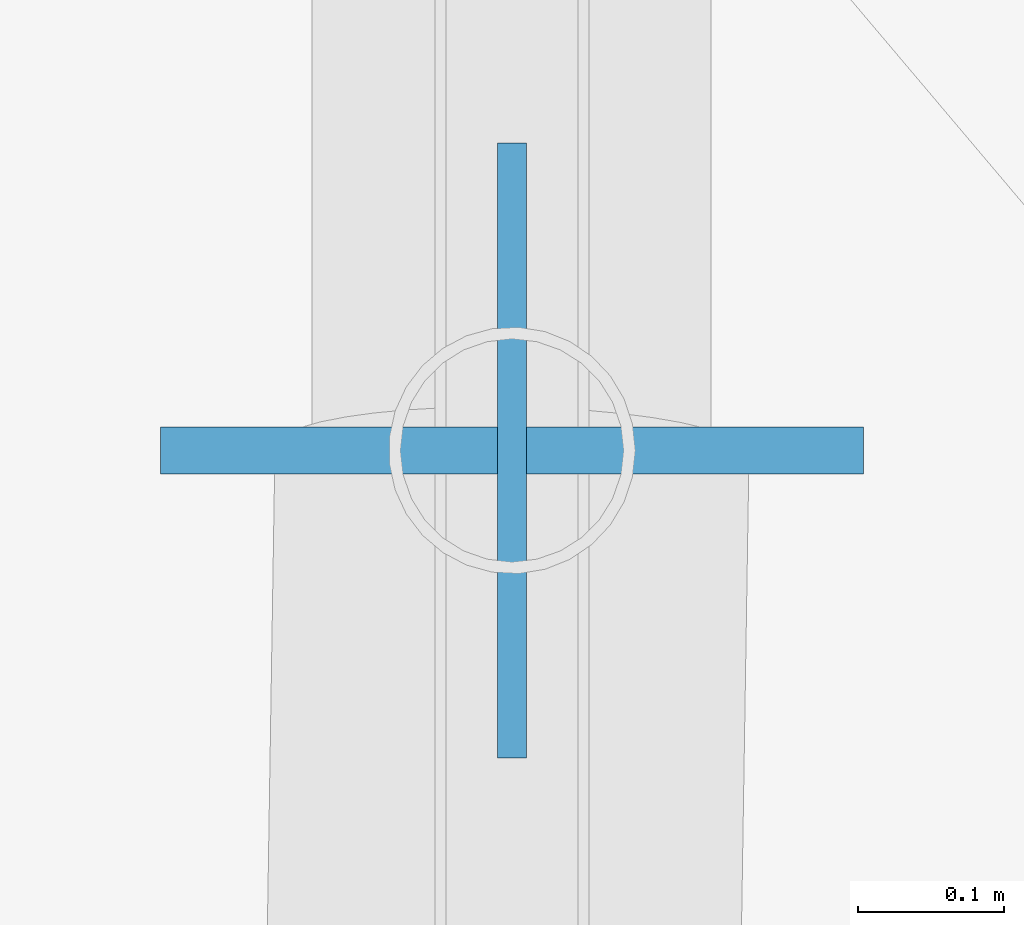
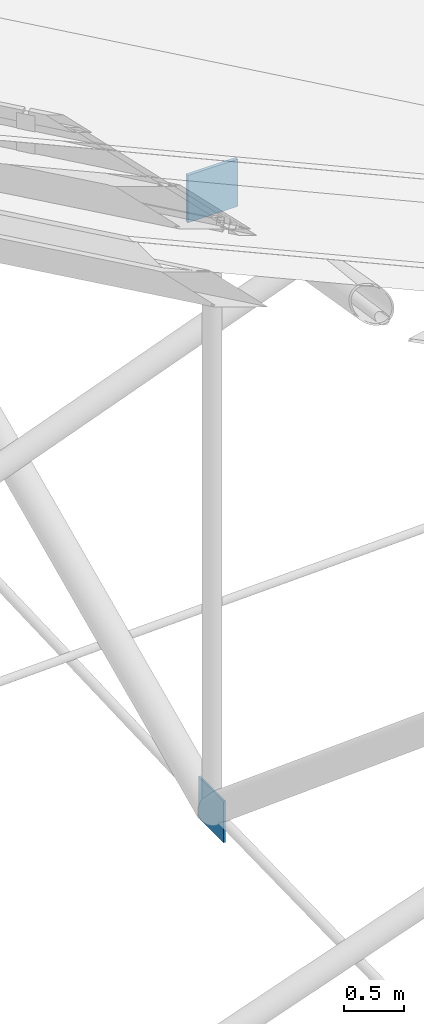
# One storey, part 166 of 173: 2 plates.
"""IFC4 building model written with IfcOpenShell, lengths in metres."""

import ifcopenshell
import ifcopenshell.guid

model = None  # the IFC model being written
_history = None  # IfcOwnerHistory: only IFC2X3 demands one
_inside = {}  # id of a spatial element -> (the spatial element, [elements in it])
_under = {}  # id of a project, library or spatial element -> (it, [spatial elements below it])
_declared = {}  # id of a project -> (the project, [libraries it declares])
_typed = {}  # id of a type object -> (the type object, [elements of that type])
_made_of = {}  # id of a material, layer set ... -> (it, [elements and type objects made of it])


def new_model(schema):
    """Start an empty IFC model of exactly this schema.

    Asked for "IFC4X3", IfcOpenShell would pick the latest addendum, in which some entities
    have other attributes; the version numbers below select the first issue.
    IFC2X3 requires an IfcOwnerHistory on every rooted entity: one is made here for all.
    """
    global model, _history
    if schema == "IFC4X3":
        model = ifcopenshell.file(schema_version=(4, 3, 0, 0))
    else:
        model = ifcopenshell.file(schema=schema)
    _inside.clear()
    _under.clear()
    _declared.clear()
    _typed.clear()
    _made_of.clear()
    _history = None
    if model.schema == "IFC2X3":
        org = make("IfcOrganization", Name="unknown")
        user = make(
            "IfcPersonAndOrganization",
            ThePerson=make("IfcPerson", FamilyName="unknown"),
            TheOrganization=org,
        )
        app = make(
            "IfcApplication",
            ApplicationDeveloper=org,
            Version="unknown",
            ApplicationFullName="unknown",
            ApplicationIdentifier="unknown",
        )
        _history = make(
            "IfcOwnerHistory",
            OwningUser=user,
            OwningApplication=app,
            ChangeAction="ADDED",
            CreationDate=0,
        )
    return model


def make(cls, **values):
    """One entity of the class cls with the attributes given. An attribute that is None is left unset."""
    return model.create_entity(
        cls, **{name: value for name, value in values.items() if value is not None}
    )


def rooted(cls, **values):
    """An entity with a GlobalId (a new one), such as an element, a storey or a relation."""
    return make(cls, GlobalId=ifcopenshell.guid.new(), OwnerHistory=_history, **values)


def si_unit(unit_type, name, prefix=None):
    """IfcSIUnit, for example si_unit("LENGTHUNIT", "METRE", prefix="MILLI")."""
    return make("IfcSIUnit", UnitType=unit_type, Prefix=prefix, Name=name)


def assignment(units):
    """IfcUnitAssignment: the units of a project."""
    return None if units is None else make("IfcUnitAssignment", Units=units)


def point(xyz):
    """IfcCartesianPoint."""
    return None if xyz is None else make("IfcCartesianPoint", Coordinates=xyz)


def direction(xyz):
    """IfcDirection."""
    return None if xyz is None else make("IfcDirection", DirectionRatios=xyz)


def frame(location, z_axis=None, x_axis=None):
    """IfcAxis2Placement3D, a coordinate frame: its origin and axes. An axis left out is left unset."""
    return make(
        "IfcAxis2Placement3D",
        Location=point(location),
        Axis=direction(z_axis),
        RefDirection=direction(x_axis),
    )


def frame_2d(location, x_axis=None):
    """IfcAxis2Placement2D, a coordinate frame in the plane: its origin and x axis."""
    return make(
        "IfcAxis2Placement2D", Location=point(location), RefDirection=direction(x_axis)
    )


def origin():
    """The frame at (0, 0, 0) with its axes left unset."""
    return frame((0.0, 0.0, 0.0))


def origin_2d():
    """The frame at (0, 0) in the plane with its x axis left unset."""
    return frame_2d((0.0, 0.0))


def place(relative_to, where):
    """IfcLocalPlacement: puts the frame where relative to a parent placement (None: the world)."""
    return make(
        "IfcLocalPlacement", PlacementRelTo=relative_to, RelativePlacement=where
    )


def context(
    kind, dimensions, precision=None, world=None, true_north=None, identifier=None
):
    """IfcGeometricRepresentationContext, for example the 3D "Model" context."""
    return make(
        "IfcGeometricRepresentationContext",
        ContextIdentifier=identifier,
        ContextType=kind,
        CoordinateSpaceDimension=dimensions,
        Precision=precision,
        WorldCoordinateSystem=world,
        TrueNorth=true_north,
    )


def subcontext(parent, identifier, kind, view, scale=None):
    """IfcGeometricRepresentationSubContext, for example "Body" below "Model"."""
    return make(
        "IfcGeometricRepresentationSubContext",
        ContextIdentifier=identifier,
        ContextType=kind,
        ParentContext=parent,
        TargetScale=scale,
        TargetView=view,
    )


def project(units=None, contexts=None):
    """IfcProject with its units and contexts."""
    return rooted(
        "IfcProject",
        Name="project",
        RepresentationContexts=contexts,
        UnitsInContext=assignment(units),
    )


def spatial(cls, under=None, at=None, **own):
    """A site, building, storey or space (cls), placed at a placement, below another one or the project."""
    s = rooted(cls, ObjectPlacement=at, **own)
    if under is not None:
        _under.setdefault(under.id(), (under, []))[1].append(s)
    return s


def profile(cls, at=None, kind="AREA", **sizes):
    """A parametric profile (cls). Its sizes go by their IFC names, for example OverallWidth=200.0."""
    return make(cls, ProfileType=kind, Position=at, **sizes)


def rectangle(**sizes):
    """IfcRectangleProfileDef."""
    return profile("IfcRectangleProfileDef", **sizes)


def extrude(swept, where, along, depth):
    """IfcExtrudedAreaSolid: the profile swept, set in the frame where, extruded along a direction by depth."""
    return make(
        "IfcExtrudedAreaSolid",
        SweptArea=swept,
        Position=where,
        ExtrudedDirection=direction(along),
        Depth=depth,
    )


def shape(context_of_items, identifier, shape_type, items):
    """IfcShapeRepresentation: the items that make up one representation, for example the "Body"."""
    return make(
        "IfcShapeRepresentation",
        ContextOfItems=context_of_items,
        RepresentationIdentifier=identifier,
        RepresentationType=shape_type,
        Items=items,
    )


def material(Name=None, Category=None):
    """IfcMaterial."""
    return make("IfcMaterial", Name=Name, Category=Category)


def layer(
    of_material, thickness, ventilated=None, Name=None, Category=None, Priority=None
):
    """IfcMaterialLayer: one layer of a wall or slab, of a material (None: an air gap)."""
    return make(
        "IfcMaterialLayer",
        Material=of_material,
        LayerThickness=thickness,
        IsVentilated=ventilated,
        Name=Name,
        Category=Category,
        Priority=Priority,
    )


def layer_set(layers, Name=None):
    """IfcMaterialLayerSet."""
    return make("IfcMaterialLayerSet", MaterialLayers=layers, LayerSetName=Name)


def made_of(thing, what):
    """Note that an element or type object is made of a material, layer set ...; save() writes the relation."""
    if what is not None:
        _made_of.setdefault(what.id(), (what, []))[1].append(thing)
    return thing


def type_object(cls, material=None, **own):
    """A type object (cls), such as IfcWallType, which elements share."""
    return made_of(rooted(cls, **own), material)


def element(
    cls,
    number,
    at=None,
    inside=None,
    cuts=None,
    type_object=None,
    material=None,
    context=None,
    identifier="Body",
    shape_type=None,
    held_by="IfcProductDefinitionShape",
    body=None,
    shapes=None,
    **own,
):
    """One element of the class cls, such as IfcWall. Its Tag is "e" and its number.

    at: its placement. inside: the storey or other place that contains it. cuts: it is an
    opening in that element (IfcRelVoidsElement). A single representation is given by context,
    identifier, shape_type and body (its items); several are given by shapes. held_by: the class
    of the entity that holds the representations. save() writes the other relations.
    """
    e = rooted(cls, Tag="e%d" % number, ObjectPlacement=at, **own)
    if body is not None:
        shapes = [shape(context, identifier, shape_type, body)]
    if shapes is not None:
        e.Representation = make(held_by, Representations=shapes)
    if inside is not None:
        _inside.setdefault(inside.id(), (inside, []))[1].append(e)
    if cuts is not None:
        rooted(
            "IfcRelVoidsElement", RelatingBuildingElement=cuts, RelatedOpeningElement=e
        )
    if type_object is not None:
        _typed.setdefault(type_object.id(), (type_object, []))[1].append(e)
    return made_of(e, material)


def aggregate(whole, parts):
    """IfcRelAggregates: a whole, such as a stair, and the parts it consists of."""
    return rooted("IfcRelAggregates", RelatingObject=whole, RelatedObjects=parts)


def save(model, path):
    """Write the relations noted so far, then the file.

    IfcRelAggregates (storeys below a building ...), IfcRelContainedInSpatialStructure (elements
    in a storey), IfcRelDefinesByType, IfcRelAssociatesMaterial and IfcRelDeclares: one each for
    every whole, place, type object, material and project.
    """
    for whole, parts in _under.values():
        aggregate(whole, parts)
    for where, things in _inside.values():
        rooted(
            "IfcRelContainedInSpatialStructure",
            RelatedElements=things,
            RelatingStructure=where,
        )
    for kind, things in _typed.values():
        rooted("IfcRelDefinesByType", RelatedObjects=things, RelatingType=kind)
    for what, things in _made_of.values():
        rooted("IfcRelAssociatesMaterial", RelatedObjects=things, RelatingMaterial=what)
    for by, libraries in _declared.values():
        rooted("IfcRelDeclares", RelatingContext=by, RelatedDefinitions=libraries)
    model.write(path)


model = new_model("IFC4")

# Units and contexts
model_context = context("Model", 3, precision=1e-05, world=origin(), true_north=direction((0.0, 1.0)))
body_context = subcontext(model_context, "Body", "Model", "MODEL_VIEW")
ifc_project = project(units=[si_unit("LENGTHUNIT", "METRE"), si_unit("AREAUNIT", "SQUARE_METRE"), si_unit("VOLUMEUNIT", "CUBIC_METRE"), si_unit("PLANEANGLEUNIT", "RADIAN"), si_unit("MASSUNIT", "GRAM", prefix="KILO")], contexts=[model_context])

# Site, building, storey
site_placement = place(None, origin())
site = spatial("IfcSite", under=ifc_project, at=site_placement, CompositionType="ELEMENT")
building_placement = place(site_placement, origin())
building = spatial("IfcBuilding", under=site, at=building_placement, Name="Glasvene Arena", CompositionType="ELEMENT")
storey_placement = place(building_placement, frame((0.0, 0.0, 28.800048828125)))
storey = spatial("IfcBuildingStorey", under=building, at=storey_placement, Name="RF", CompositionType="ELEMENT", Elevation=28.800048828125)

# Plates
ifc_material = material(Name="Steel S355J2", Category="steel")
ifc_layer_1 = layer(ifc_material, 0.031982421875)
ifc_layer_set_1 = layer_set([ifc_layer_1], Name="Steel S355J2")
plate_type_1 = type_object("IfcPlateType", Name="PL-GUSSET-32", PredefinedType="USERDEFINED", material=ifc_layer_set_1)
plate_1_placement = place(storey_placement, frame((121.389404296875, 91.202880859375, 3.927001953125), z_axis=(0.0, 0.0, 1.0), x_axis=(1.0, 0.0, 0.0)))
element("IfcPlate", 1, at=plate_1_placement, inside=storey, type_object=plate_type_1, Name="Cable-node clamp gusset plate CG-NS01-06", ObjectType="GUSSET PLATE", PredefinedType="USERDEFINED", context=body_context, shape_type="SweptSolid", body=[
    extrude(rectangle(XDim=0.47998046875, YDim=0.031982421875, at=origin_2d()), origin(), (0.0, 0.0, 1.0), 0.47998046875),
])
ifc_layer_2 = layer(ifc_material, 0.02001953125)
ifc_layer_set_2 = layer_set([ifc_layer_2], Name="Steel S355J2")
plate_type_2 = type_object("IfcPlateType", Name="PL-STIFF-20", PredefinedType="USERDEFINED", material=ifc_layer_set_2)
plate_2_placement = place(storey_placement, frame((121.389404296875, 91.202880859375, -2.322509765625), z_axis=(0.0, 0.0, 1.0), x_axis=(1.0, 0.0, 0.0)))
element("IfcPlate", 2, at=plate_2_placement, inside=storey, type_object=plate_type_2, Name="Lower cable clamp stiffener plate CS-NS01-06", ObjectType="GUSSET PLATE", PredefinedType="USERDEFINED", context=body_context, shape_type="SweptSolid", body=[
    extrude(rectangle(XDim=0.02001953125, YDim=0.419921875, at=origin_2d()), origin(), (0.0, 0.0, 1.0), 0.419921875),
])

save(model, "model.ifc")
